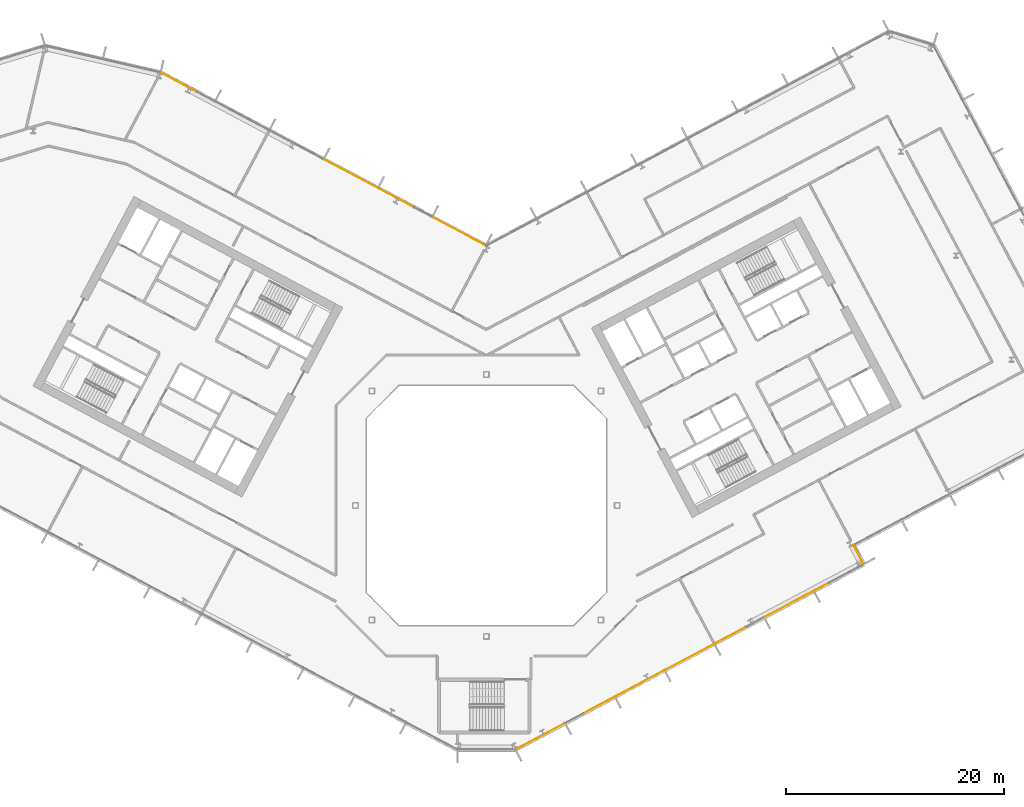
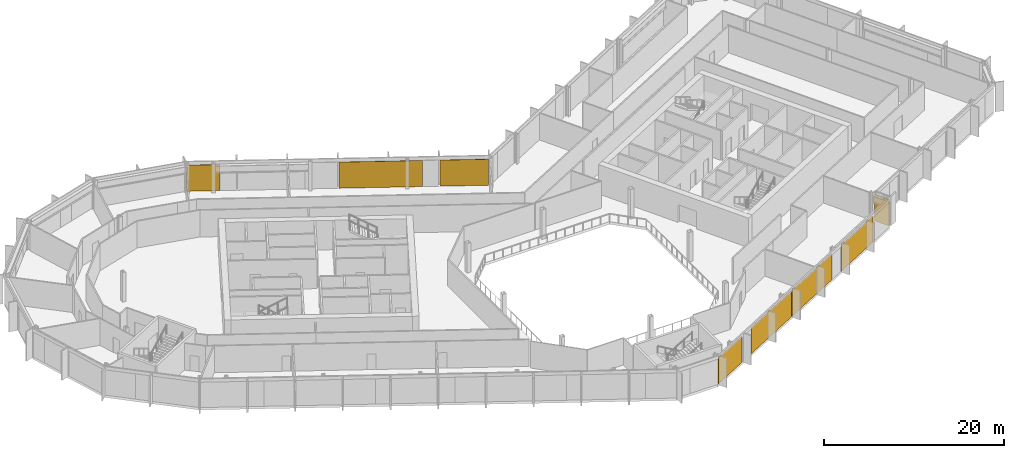
# One storey, part 24 of 28: 8 coverings, 3 elements without a shape of their own.
"""IFC4 building model written with IfcOpenShell, lengths in metres."""

from ifc_helpers import new_model, si_unit, direction, frame, origin, origin_2d, place, context, subcontext, project, spatial, rectangle, extrude, material, layer, layer_set, type_object, element, aggregate, save


model = new_model("IFC4")

# Units and contexts
model_context = context("Model", 3, precision=1e-05, world=origin(), true_north=direction((0.0, 1.0)))
body_context = subcontext(model_context, "Body", "Model", "MODEL_VIEW")
ifc_project = project(units=[si_unit("LENGTHUNIT", "METRE"), si_unit("AREAUNIT", "SQUARE_METRE"), si_unit("VOLUMEUNIT", "CUBIC_METRE"), si_unit("PLANEANGLEUNIT", "RADIAN"), si_unit("MASSUNIT", "GRAM", prefix="KILO")], contexts=[model_context])

# Site, building, storey
site_placement = place(None, origin())
site = spatial("IfcSite", under=ifc_project, at=site_placement, CompositionType="ELEMENT")
building_placement = place(site_placement, origin())
building = spatial("IfcBuilding", under=site, at=building_placement, Name="Cormorant Relay Tower", CompositionType="ELEMENT")
storey_placement = place(building_placement, frame((0.0, 0.0, 130.199951171875)))
storey = spatial("IfcBuildingStorey", under=building, at=storey_placement, Name="L26", CompositionType="ELEMENT", Elevation=130.199951171875)

# Curtain wall, coverings
ifc_material_1 = material(Name="Aluminium 6063-T6 anodised bronze", Category="aluminium")
ifc_layer_1 = layer(ifc_material_1, 0.199951171875)
ifc_layer_set_1 = layer_set([ifc_layer_1], Name="CW1 unitised bronze curtain wall with vertical fins")
curtain_wall_type = type_object("IfcCurtainWallType", Name="CW1 unitised bronze curtain wall with vertical fins", PredefinedType="NOTDEFINED", material=ifc_layer_set_1)
curtain_wall_1_placement = place(storey_placement, origin())
curtain_wall_1 = element("IfcCurtainWall", 1, at=curtain_wall_1_placement, inside=storey, type_object=curtain_wall_type, Name="CW1 curtain wall 2", PredefinedType="NOTDEFINED")
ifc_material_2 = material(Name="Pale bronze anodised aluminium insulated panel", Category="aluminium")
ifc_layer_2 = layer(ifc_material_2, 0.0400390625)
ifc_layer_set_2 = layer_set([ifc_layer_2], Name="CW1 pale bronze insulated panel 40")
covering_type = type_object("IfcCoveringType", Name="CW1 pale bronze insulated panel 40", PredefinedType="CLADDING", material=ifc_layer_set_2)
covering_1_placement = place(storey_placement, frame((4.939208984375, -21.180419921875, 0.0), z_axis=(0.0, 0.0, 1.0), x_axis=(0.882947592859, 0.469471562786, 0.0)))
covering_1 = element("IfcCovering", 2, at=covering_1_placement, type_object=covering_type, Name="CW1 panel S00", PredefinedType="CLADDING", context=body_context, shape_type="SweptSolid", body=[
    extrude(rectangle(XDim=5.0166015625, YDim=0.0400390625, at=origin_2d()), origin(), (0.0, 0.0, 1.0), 3.550048828125),
])
covering_2_placement = place(storey_placement, frame((12.576416015625, -17.11962890625, 0.0), z_axis=(0.0, 0.0, 1.0), x_axis=(0.882947592859, 0.469471562786, 0.0)))
covering_2 = element("IfcCovering", 3, at=covering_2_placement, type_object=covering_type, Name="CW1 panel S02", PredefinedType="CLADDING", context=body_context, shape_type="SweptSolid", body=[
    extrude(rectangle(XDim=8.383056640625, YDim=0.0400390625, at=origin_2d()), origin(), (0.0, 0.0, 1.0), 3.550048828125),
])
covering_3_placement = place(storey_placement, frame((20.11083984375, -13.113525390625, 0.0), z_axis=(0.0, 0.0, 1.0), x_axis=(0.882947592859, 0.469471562786, 0.0)))
covering_3 = element("IfcCovering", 4, at=covering_3_placement, type_object=covering_type, Name="CW1 panel S03", PredefinedType="CLADDING", context=body_context, shape_type="SweptSolid", body=[
    extrude(rectangle(XDim=8.383056640625, YDim=0.0400390625, at=origin_2d()), origin(), (0.0, 0.0, 1.0), 3.550048828125),
])
covering_4_placement = place(storey_placement, frame((28.472900390625, -8.667236328125, 0.0), z_axis=(0.0, 0.0, 1.0), x_axis=(0.882947592859, 0.469471562786, 0.0)))
covering_4 = element("IfcCovering", 5, at=covering_4_placement, type_object=covering_type, Name="CW1 panel S05", PredefinedType="CLADDING", context=body_context, shape_type="SweptSolid", body=[
    extrude(rectangle(XDim=6.658203125, YDim=0.0400390625, at=origin_2d()), origin(), (0.0, 0.0, 1.0), 3.550048828125),
])
aggregate(curtain_wall_1, [covering_1, covering_2, covering_3, covering_4])

# Curtain wall, covering
curtain_wall_2_placement = place(storey_placement, origin())
curtain_wall_2 = element("IfcCurtainWall", 6, at=curtain_wall_2_placement, inside=storey, type_object=curtain_wall_type, Name="CW1 curtain wall 3", PredefinedType="NOTDEFINED")
covering_5_placement = place(storey_placement, frame((34.112060546875, -4.47119140625, 0.0), z_axis=(0.0, 0.0, 1.0), x_axis=(-0.469471562786, 0.882947592859, 0.0)))
covering_5 = element("IfcCovering", 7, at=covering_5_placement, type_object=covering_type, Name="CW1 panel S00", PredefinedType="CLADDING", context=body_context, shape_type="SweptSolid", body=[
    extrude(rectangle(XDim=1.925048828125, YDim=0.0400390625, at=origin_2d()), origin(), (0.0, 0.0, 1.0), 3.550048828125),
])
aggregate(curtain_wall_2, [covering_5])

# Curtain wall, coverings
curtain_wall_3_placement = place(storey_placement, origin())
curtain_wall_3 = element("IfcCurtainWall", 8, at=curtain_wall_3_placement, inside=storey, type_object=curtain_wall_type, Name="CW1 curtain wall 9", PredefinedType="NOTDEFINED")
covering_6_placement = place(storey_placement, frame((-2.51318359375, 25.142822265625, 0.0), z_axis=(0.0, 0.0, 1.0), x_axis=(-0.882947592859, 0.469471562786, 0.0)))
covering_6 = element("IfcCovering", 9, at=covering_6_placement, type_object=covering_type, Name="CW1 panel S00", PredefinedType="CLADDING", context=body_context, shape_type="SweptSolid", body=[
    extrude(rectangle(XDim=5.4140625, YDim=0.0400390625, at=origin_2d()), origin(), (0.0, 0.0, 1.0), 3.550048828125),
])
covering_7_placement = place(storey_placement, frame((-10.7431640625, 29.518798828125, 0.0), z_axis=(0.0, 0.0, 1.0), x_axis=(-0.882947592859, 0.469471562786, 0.0)))
covering_7 = element("IfcCovering", 10, at=covering_7_placement, type_object=covering_type, Name="CW1 panel S02", PredefinedType="CLADDING", context=body_context, shape_type="SweptSolid", body=[
    extrude(rectangle(XDim=9.327880859375, YDim=0.0400390625, at=origin_2d()), origin(), (0.0, 0.0, 1.0), 3.550048828125),
])
covering_8_placement = place(storey_placement, frame((-28.20263671875, 38.80224609375, 0.0), z_axis=(0.0, 0.0, 1.0), x_axis=(-0.882947592859, 0.469471562786, 0.0)))
covering_8 = element("IfcCovering", 11, at=covering_8_placement, type_object=covering_type, Name="CW1 panel S06", PredefinedType="CLADDING", context=body_context, shape_type="SweptSolid", body=[
    extrude(rectangle(XDim=3.763916015625, YDim=0.0400390625, at=origin_2d()), origin(), (0.0, 0.0, 1.0), 3.550048828125),
])
aggregate(curtain_wall_3, [covering_6, covering_7, covering_8])

save(model, "model.ifc")
